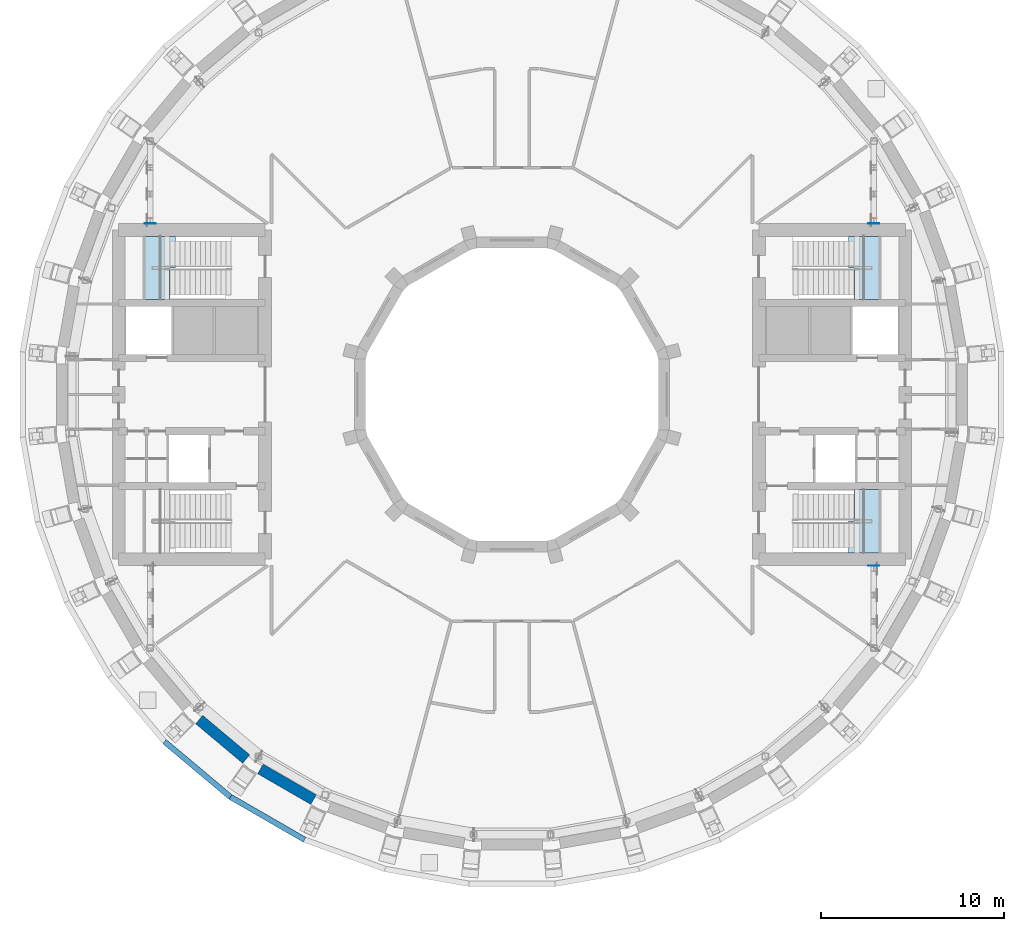
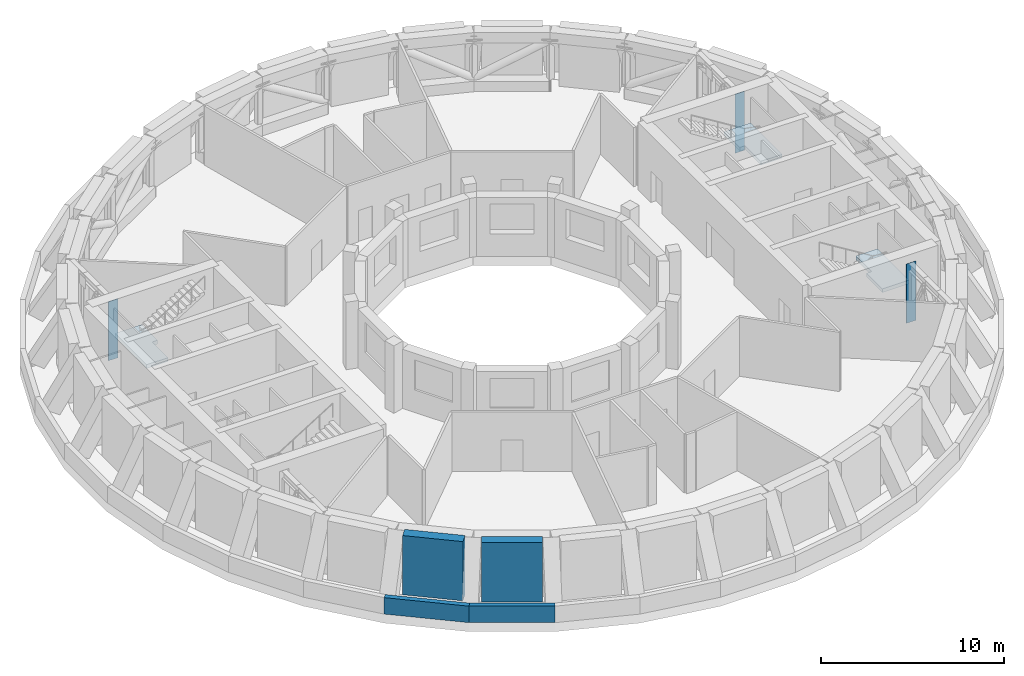
# One storey, part 9 of 20: 4 walls, 3 plates, 3 slabs, 3 elements without a shape of their own.
"""IFC4 building model written with IfcOpenShell, lengths in metres."""

import ifcopenshell
import ifcopenshell.guid

model = None  # the IFC model being written
_history = None  # IfcOwnerHistory: only IFC2X3 demands one
_inside = {}  # id of a spatial element -> (the spatial element, [elements in it])
_under = {}  # id of a project, library or spatial element -> (it, [spatial elements below it])
_declared = {}  # id of a project -> (the project, [libraries it declares])
_typed = {}  # id of a type object -> (the type object, [elements of that type])
_made_of = {}  # id of a material, layer set ... -> (it, [elements and type objects made of it])


def new_model(schema):
    """Start an empty IFC model of exactly this schema.

    Asked for "IFC4X3", IfcOpenShell would pick the latest addendum, in which some entities
    have other attributes; the version numbers below select the first issue.
    IFC2X3 requires an IfcOwnerHistory on every rooted entity: one is made here for all.
    """
    global model, _history
    if schema == "IFC4X3":
        model = ifcopenshell.file(schema_version=(4, 3, 0, 0))
    else:
        model = ifcopenshell.file(schema=schema)
    _inside.clear()
    _under.clear()
    _declared.clear()
    _typed.clear()
    _made_of.clear()
    _history = None
    if model.schema == "IFC2X3":
        org = make("IfcOrganization", Name="unknown")
        user = make(
            "IfcPersonAndOrganization",
            ThePerson=make("IfcPerson", FamilyName="unknown"),
            TheOrganization=org,
        )
        app = make(
            "IfcApplication",
            ApplicationDeveloper=org,
            Version="unknown",
            ApplicationFullName="unknown",
            ApplicationIdentifier="unknown",
        )
        _history = make(
            "IfcOwnerHistory",
            OwningUser=user,
            OwningApplication=app,
            ChangeAction="ADDED",
            CreationDate=0,
        )
    return model


def make(cls, **values):
    """One entity of the class cls with the attributes given. An attribute that is None is left unset."""
    return model.create_entity(
        cls, **{name: value for name, value in values.items() if value is not None}
    )


def rooted(cls, **values):
    """An entity with a GlobalId (a new one), such as an element, a storey or a relation."""
    return make(cls, GlobalId=ifcopenshell.guid.new(), OwnerHistory=_history, **values)


def si_unit(unit_type, name, prefix=None):
    """IfcSIUnit, for example si_unit("LENGTHUNIT", "METRE", prefix="MILLI")."""
    return make("IfcSIUnit", UnitType=unit_type, Prefix=prefix, Name=name)


def assignment(units):
    """IfcUnitAssignment: the units of a project."""
    return None if units is None else make("IfcUnitAssignment", Units=units)


def point(xyz):
    """IfcCartesianPoint."""
    return None if xyz is None else make("IfcCartesianPoint", Coordinates=xyz)


def direction(xyz):
    """IfcDirection."""
    return None if xyz is None else make("IfcDirection", DirectionRatios=xyz)


def frame(location, z_axis=None, x_axis=None):
    """IfcAxis2Placement3D, a coordinate frame: its origin and axes. An axis left out is left unset."""
    return make(
        "IfcAxis2Placement3D",
        Location=point(location),
        Axis=direction(z_axis),
        RefDirection=direction(x_axis),
    )


def frame_2d(location, x_axis=None):
    """IfcAxis2Placement2D, a coordinate frame in the plane: its origin and x axis."""
    return make(
        "IfcAxis2Placement2D", Location=point(location), RefDirection=direction(x_axis)
    )


def origin():
    """The frame at (0, 0, 0) with its axes left unset."""
    return frame((0.0, 0.0, 0.0))


def place(relative_to, where):
    """IfcLocalPlacement: puts the frame where relative to a parent placement (None: the world)."""
    return make(
        "IfcLocalPlacement", PlacementRelTo=relative_to, RelativePlacement=where
    )


def context(
    kind, dimensions, precision=None, world=None, true_north=None, identifier=None
):
    """IfcGeometricRepresentationContext, for example the 3D "Model" context."""
    return make(
        "IfcGeometricRepresentationContext",
        ContextIdentifier=identifier,
        ContextType=kind,
        CoordinateSpaceDimension=dimensions,
        Precision=precision,
        WorldCoordinateSystem=world,
        TrueNorth=true_north,
    )


def subcontext(parent, identifier, kind, view, scale=None):
    """IfcGeometricRepresentationSubContext, for example "Body" below "Model"."""
    return make(
        "IfcGeometricRepresentationSubContext",
        ContextIdentifier=identifier,
        ContextType=kind,
        ParentContext=parent,
        TargetScale=scale,
        TargetView=view,
    )


def project(units=None, contexts=None):
    """IfcProject with its units and contexts."""
    return rooted(
        "IfcProject",
        Name="project",
        RepresentationContexts=contexts,
        UnitsInContext=assignment(units),
    )


def spatial(cls, under=None, at=None, **own):
    """A site, building, storey or space (cls), placed at a placement, below another one or the project."""
    s = rooted(cls, ObjectPlacement=at, **own)
    if under is not None:
        _under.setdefault(under.id(), (under, []))[1].append(s)
    return s


def polyline(points):
    """IfcPolyline through the points."""
    return make("IfcPolyline", Points=[point(p) for p in points])


def profile(cls, at=None, kind="AREA", **sizes):
    """A parametric profile (cls). Its sizes go by their IFC names, for example OverallWidth=200.0."""
    return make(cls, ProfileType=kind, Position=at, **sizes)


def rectangle(**sizes):
    """IfcRectangleProfileDef."""
    return profile("IfcRectangleProfileDef", **sizes)


def outline(outer, holes=None, kind="AREA"):
    """IfcArbitraryClosedProfileDef: a profile drawn as a closed curve; with holes, ...WithVoids."""
    if holes is None:
        return make("IfcArbitraryClosedProfileDef", ProfileType=kind, OuterCurve=outer)
    return make(
        "IfcArbitraryProfileDefWithVoids",
        ProfileType=kind,
        OuterCurve=outer,
        InnerCurves=holes,
    )


def extrude(swept, where, along, depth):
    """IfcExtrudedAreaSolid: the profile swept, set in the frame where, extruded along a direction by depth."""
    return make(
        "IfcExtrudedAreaSolid",
        SweptArea=swept,
        Position=where,
        ExtrudedDirection=direction(along),
        Depth=depth,
    )


def shape(context_of_items, identifier, shape_type, items):
    """IfcShapeRepresentation: the items that make up one representation, for example the "Body"."""
    return make(
        "IfcShapeRepresentation",
        ContextOfItems=context_of_items,
        RepresentationIdentifier=identifier,
        RepresentationType=shape_type,
        Items=items,
    )


def material(Name=None, Category=None):
    """IfcMaterial."""
    return make("IfcMaterial", Name=Name, Category=Category)


def layer(
    of_material, thickness, ventilated=None, Name=None, Category=None, Priority=None
):
    """IfcMaterialLayer: one layer of a wall or slab, of a material (None: an air gap)."""
    return make(
        "IfcMaterialLayer",
        Material=of_material,
        LayerThickness=thickness,
        IsVentilated=ventilated,
        Name=Name,
        Category=Category,
        Priority=Priority,
    )


def layer_set(layers, Name=None):
    """IfcMaterialLayerSet."""
    return make("IfcMaterialLayerSet", MaterialLayers=layers, LayerSetName=Name)


def made_of(thing, what):
    """Note that an element or type object is made of a material, layer set ...; save() writes the relation."""
    if what is not None:
        _made_of.setdefault(what.id(), (what, []))[1].append(thing)
    return thing


def type_object(cls, material=None, **own):
    """A type object (cls), such as IfcWallType, which elements share."""
    return made_of(rooted(cls, **own), material)


def element(
    cls,
    number,
    at=None,
    inside=None,
    cuts=None,
    type_object=None,
    material=None,
    context=None,
    identifier="Body",
    shape_type=None,
    held_by="IfcProductDefinitionShape",
    body=None,
    shapes=None,
    **own,
):
    """One element of the class cls, such as IfcWall. Its Tag is "e" and its number.

    at: its placement. inside: the storey or other place that contains it. cuts: it is an
    opening in that element (IfcRelVoidsElement). A single representation is given by context,
    identifier, shape_type and body (its items); several are given by shapes. held_by: the class
    of the entity that holds the representations. save() writes the other relations.
    """
    e = rooted(cls, Tag="e%d" % number, ObjectPlacement=at, **own)
    if body is not None:
        shapes = [shape(context, identifier, shape_type, body)]
    if shapes is not None:
        e.Representation = make(held_by, Representations=shapes)
    if inside is not None:
        _inside.setdefault(inside.id(), (inside, []))[1].append(e)
    if cuts is not None:
        rooted(
            "IfcRelVoidsElement", RelatingBuildingElement=cuts, RelatedOpeningElement=e
        )
    if type_object is not None:
        _typed.setdefault(type_object.id(), (type_object, []))[1].append(e)
    return made_of(e, material)


def aggregate(whole, parts):
    """IfcRelAggregates: a whole, such as a stair, and the parts it consists of."""
    return rooted("IfcRelAggregates", RelatingObject=whole, RelatedObjects=parts)


def save(model, path):
    """Write the relations noted so far, then the file.

    IfcRelAggregates (storeys below a building ...), IfcRelContainedInSpatialStructure (elements
    in a storey), IfcRelDefinesByType, IfcRelAssociatesMaterial and IfcRelDeclares: one each for
    every whole, place, type object, material and project.
    """
    for whole, parts in _under.values():
        aggregate(whole, parts)
    for where, things in _inside.values():
        rooted(
            "IfcRelContainedInSpatialStructure",
            RelatedElements=things,
            RelatingStructure=where,
        )
    for kind, things in _typed.values():
        rooted("IfcRelDefinesByType", RelatedObjects=things, RelatingType=kind)
    for what, things in _made_of.values():
        rooted("IfcRelAssociatesMaterial", RelatedObjects=things, RelatingMaterial=what)
    for by, libraries in _declared.values():
        rooted("IfcRelDeclares", RelatingContext=by, RelatedDefinitions=libraries)
    model.write(path)


model = new_model("IFC4")

# Units and contexts
model_context = context("Model", 3, precision=1e-05, world=origin(), true_north=direction((0.0, 1.0)))
body_context = subcontext(model_context, "Body", "Model", "MODEL_VIEW")
ifc_project = project(units=[si_unit("LENGTHUNIT", "METRE"), si_unit("AREAUNIT", "SQUARE_METRE"), si_unit("VOLUMEUNIT", "CUBIC_METRE"), si_unit("PLANEANGLEUNIT", "RADIAN"), si_unit("MASSUNIT", "GRAM", prefix="KILO")], contexts=[model_context])

# Site, building, storey
site_placement = place(None, origin())
site = spatial("IfcSite", under=ifc_project, at=site_placement, CompositionType="ELEMENT")
building_placement = place(site_placement, origin())
building = spatial("IfcBuilding", under=site, at=building_placement, Name="Saqina Gate Tower", CompositionType="ELEMENT")
storey_placement = place(building_placement, frame((0.0, 0.0, 151.300048828125)))
storey = spatial("IfcBuildingStorey", under=building, at=storey_placement, Name="L43", CompositionType="ELEMENT", Elevation=151.300048828125)

# Stair, slab
ifc_material_1 = material(Name="Concrete C40/50", Category="concrete")
stair_type = type_object("IfcStairType", Name="EXIT STAIR", PredefinedType="HALF_TURN_STAIR", material=ifc_material_1)
stair_1_placement = place(storey_placement, origin())
stair_1 = element("IfcStair", 1, at=stair_1_placement, inside=storey, type_object=stair_type, Name="EXIT STAIR 1", PredefinedType="HALF_TURN_STAIR")
ifc_material_2 = material(Name="Concrete C40/50", Category="concrete")
ifc_layer_1 = layer(ifc_material_2, 0.25)
ifc_layer_set_1 = layer_set([ifc_layer_1], Name="Concrete C40/50")
slab_type = type_object("IfcSlabType", Name="EXIT STAIR LANDING", PredefinedType="LANDING", material=ifc_layer_set_1)
slab_1_placement = place(storey_placement, frame((0.0, 0.0, 2.0)))
slab_1 = element("IfcSlab", 2, at=slab_1_placement, type_object=slab_type, Name="EXIT STAIR 1 LANDING 1", PredefinedType="LANDING", context=body_context, shape_type="SweptSolid", body=[
    extrude(outline(polyline([(20.06005859375, 8.64990234375), (20.06005859375, 5.199951171875), (18.705078125, 5.199951171875), (18.705078125, 6.925048828125), (18.384765625, 6.925048828125), (18.384765625, 8.64990234375), (18.705078125, 8.64990234375), (18.7099609375, 8.64990234375), (20.06005859375, 8.64990234375)])), origin(), (0.0, 0.0, 1.0), 0.25),
])
aggregate(stair_1, [slab_1])

stair_2_placement = place(storey_placement, origin())
stair_2 = element("IfcStair", 3, at=stair_2_placement, inside=storey, type_object=stair_type, Name="EXIT STAIR 2", PredefinedType="HALF_TURN_STAIR")
slab_2_placement = place(storey_placement, frame((0.0, 0.0, 2.0)))
slab_2 = element("IfcSlab", 4, at=slab_2_placement, type_object=slab_type, Name="EXIT STAIR 2 LANDING 1", PredefinedType="LANDING", context=body_context, shape_type="SweptSolid", body=[
    extrude(outline(polyline([(18.384765625, -8.64990234375), (18.384765625, -6.925048828125), (18.705078125, -6.925048828125), (18.705078125, -5.199951171875), (20.06005859375, -5.199951171875), (20.06005859375, -8.64990234375), (18.7099609375, -8.64990234375), (18.705078125, -8.64990234375), (18.384765625, -8.64990234375)])), origin(), (0.0, 0.0, 1.0), 0.25),
])
aggregate(stair_2, [slab_2])

stair_3_placement = place(storey_placement, origin())
stair_3 = element("IfcStair", 5, at=stair_3_placement, inside=storey, type_object=stair_type, Name="EXIT STAIR 3", PredefinedType="HALF_TURN_STAIR")
slab_3_placement = place(storey_placement, frame((0.0, 0.0, 2.0)))
slab_3 = element("IfcSlab", 6, at=slab_3_placement, type_object=slab_type, Name="EXIT STAIR 3 LANDING 1", PredefinedType="LANDING", context=body_context, shape_type="SweptSolid", body=[
    extrude(outline(polyline([(-18.705078125, 5.199951171875), (-20.06005859375, 5.199951171875), (-20.06005859375, 8.64990234375), (-18.7099609375, 8.64990234375), (-18.705078125, 8.64990234375), (-18.384765625, 8.64990234375), (-18.384765625, 6.925048828125), (-18.705078125, 6.925048828125), (-18.705078125, 5.199951171875)])), origin(), (0.0, 0.0, 1.0), 0.25),
])
aggregate(stair_3, [slab_3])

# Plates
ifc_material_3 = material(Name="Steel S460", Category="steel")
ifc_layer_2 = layer(ifc_material_3, 0.01806640625)
ifc_layer_set_2 = layer_set([ifc_layer_2], Name="Steel S460")
plate_type = type_object("IfcPlateType", Name="STR-EMBED PLATE", PredefinedType="USERDEFINED", material=ifc_layer_set_2)
plate_1_placement = place(storey_placement, origin())
element("IfcPlate", 7, at=plate_1_placement, inside=storey, type_object=plate_type, Name="EMBED PLATE L43 01", ObjectType="EMBED PLATE", PredefinedType="USERDEFINED", context=body_context, shape_type="SweptSolid", body=[
    extrude(outline(polyline([(19.482421875, 9.35009765625), (20.08251953125, 9.35009765625), (20.08251953125, 9.367919921875), (19.482421875, 9.367919921875), (19.482421875, 9.35009765625)])), origin(), (0.0, 0.0, 1.0), 3.949951171875),
])
plate_2_placement = place(storey_placement, origin())
element("IfcPlate", 8, at=plate_2_placement, inside=storey, type_object=plate_type, Name="EMBED PLATE L43 02", ObjectType="EMBED PLATE", PredefinedType="USERDEFINED", context=body_context, shape_type="SweptSolid", body=[
    extrude(outline(polyline([(19.482421875, -9.367919921875), (20.08251953125, -9.367919921875), (20.08251953125, -9.35009765625), (19.482421875, -9.35009765625), (19.482421875, -9.367919921875)])), origin(), (0.0, 0.0, 1.0), 3.949951171875),
])
plate_3_placement = place(storey_placement, origin())
element("IfcPlate", 9, at=plate_3_placement, inside=storey, type_object=plate_type, Name="EMBED PLATE L43 03", ObjectType="EMBED PLATE", PredefinedType="USERDEFINED", context=body_context, shape_type="SweptSolid", body=[
    extrude(outline(polyline([(-20.08251953125, 9.35009765625), (-19.482421875, 9.35009765625), (-19.482421875, 9.367919921875), (-20.08251953125, 9.367919921875), (-20.08251953125, 9.35009765625)])), origin(), (0.0, 0.0, 1.0), 3.949951171875),
])

# Walls
ifc_material_4 = material(Name="Brick masonry (buff)", Category="masonry")
ifc_layer_3 = layer(ifc_material_4, 0.60009765625)
ifc_layer_set_3 = layer_set([ifc_layer_3], Name="FW-BRICK-BUFF")
wall_type_1 = type_object("IfcWallType", Name="FW-BRICK-BUFF", PredefinedType="SOLIDWALL", material=ifc_layer_set_3)
for number, where, z_axis, x_axis, name in (
    (10, (-17.0986328125, -17.77197265625, 0.0), (0.0, 0.0, 1.0), (0.766078076858, -0.642747524428, 0.0), "Facade wall L43 facet 23"),
    (11, (-13.752685546875, -20.47119140625, 0.0), (0.0, 0.0, 1.0), (0.866041139319, -0.499972744263, 0.0), "Facade wall L43 facet 24"),
):
    element("IfcWall", number, at=place(storey_placement, frame(where, z_axis=z_axis, x_axis=x_axis)), inside=storey, type_object=wall_type_1, Name=name, PredefinedType="SOLIDWALL", context=body_context, shape_type="SweptSolid", body=[
        extrude(rectangle(XDim=3.349365234375, YDim=0.60009765625, at=frame_2d((1.6748046875, 0.0))), origin(), (0.0, 0.0, 1.0), 3.949951171875),
    ])
ifc_material_5 = material(Name="Brick masonry (buff)", Category="masonry")
ifc_layer_4 = layer(ifc_material_5, 0.300048828125)
ifc_layer_set_4 = layer_set([ifc_layer_4], Name="PA-ROOF")
wall_type_2 = type_object("IfcWallType", Name="PA-ROOF", PredefinedType="PARAPET", material=ifc_layer_set_4)
wall_1_placement = place(storey_placement, frame((-18.99560546875, -18.97705078125, 0.0), z_axis=(0.0, 0.0, 1.0), x_axis=(0.766065473319, -0.642762546038, 0.0)))
element("IfcWall", 12, at=wall_1_placement, inside=storey, type_object=wall_type_2, Name="Parapet L43 edge 23", PredefinedType="PARAPET", context=body_context, shape_type="SweptSolid", body=[
    extrude(rectangle(XDim=4.70654296875, YDim=0.300048828125, at=frame_2d((2.353271484375, 0.0))), origin(), (0.0, 0.0, 1.0), 1.099853515625),
])
wall_2_placement = place(storey_placement, frame((-15.41162109375, -21.9873046875, 0.0), z_axis=(0.0, 0.0, 1.0), x_axis=(0.866044782366, -0.499966433809, 0.0)))
element("IfcWall", 13, at=wall_2_placement, inside=storey, type_object=wall_type_2, Name="Parapet L43 edge 24", PredefinedType="PARAPET", context=body_context, shape_type="SweptSolid", body=[
    extrude(rectangle(XDim=4.706298828125, YDim=0.300048828125, at=frame_2d((2.35302734375, 0.0))), origin(), (0.0, 0.0, 1.0), 1.099853515625),
])

save(model, "model.ifc")
